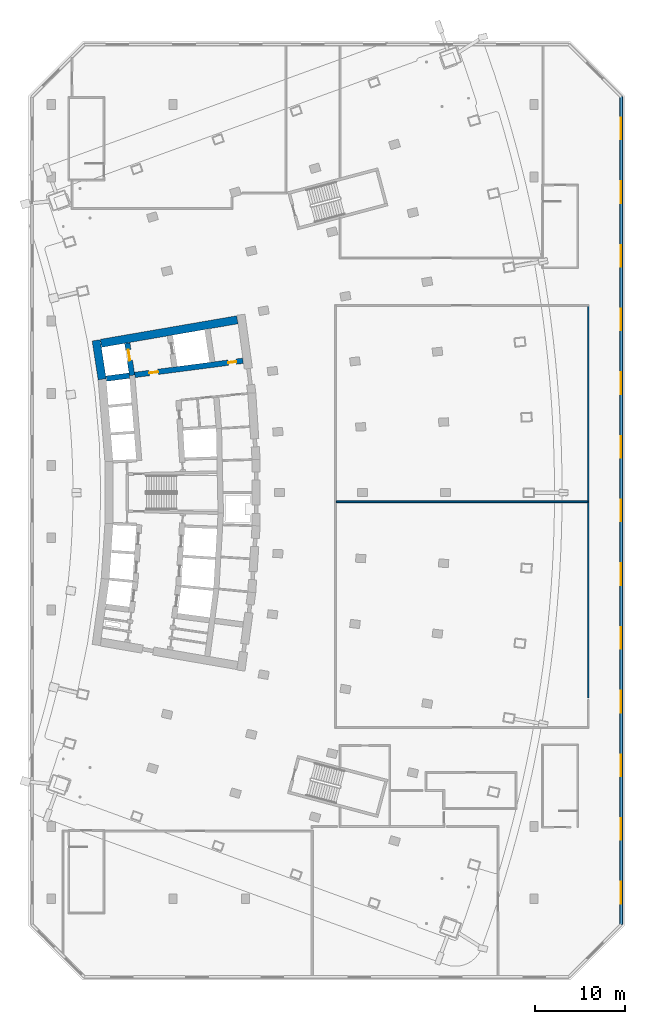
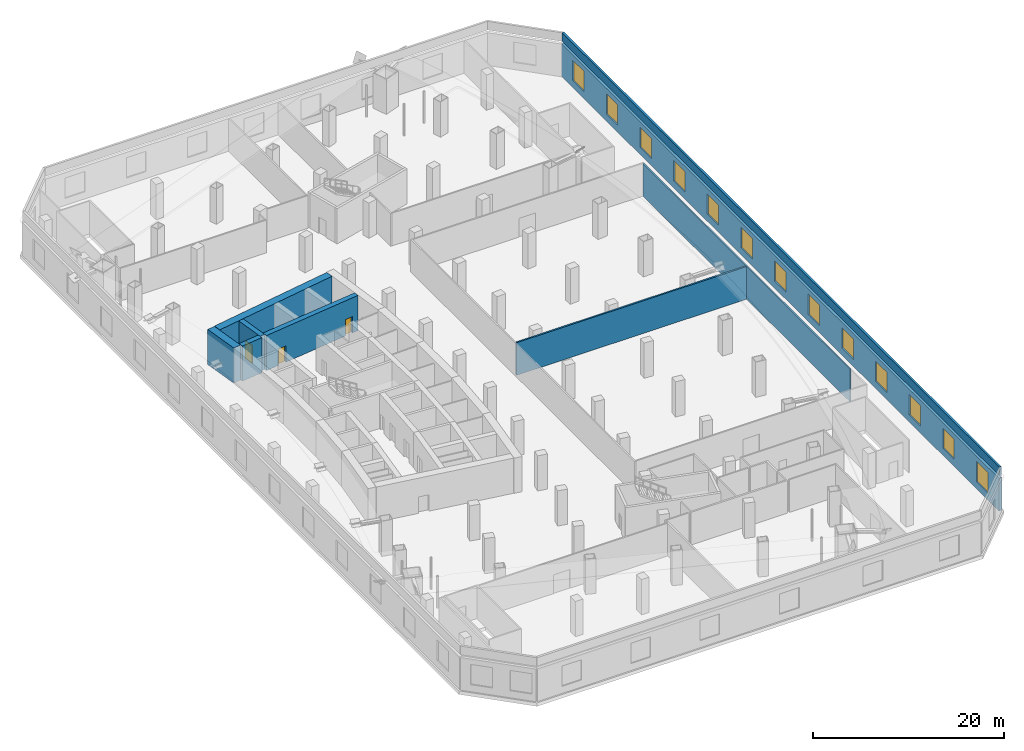
# One storey, part 16 of 19: 13 windows, 9 walls, 3 doors, 16 openings.
"""IFC4 building model written with IfcOpenShell, lengths in metres."""

from ifc_helpers import new_model, si_unit, direction, frame, frame_2d, origin, place, context, subcontext, project, spatial, rectangle, extrude, material, layer, layer_set, type_object, element, fill, save


model = new_model("IFC4")

# Units and contexts
model_context = context("Model", 3, precision=1e-05, world=origin(), true_north=direction((0.0, 1.0)))
body_context = subcontext(model_context, "Body", "Model", "MODEL_VIEW")
ifc_project = project(units=[si_unit("LENGTHUNIT", "METRE"), si_unit("AREAUNIT", "SQUARE_METRE"), si_unit("VOLUMEUNIT", "CUBIC_METRE"), si_unit("PLANEANGLEUNIT", "RADIAN"), si_unit("MASSUNIT", "GRAM", prefix="KILO")], contexts=[model_context])

# Site, building, storey
site_placement = place(None, origin())
site = spatial("IfcSite", under=ifc_project, at=site_placement, CompositionType="ELEMENT")
building_placement = place(site_placement, origin())
building = spatial("IfcBuilding", under=site, at=building_placement, Name="Alderwake Tower", CompositionType="ELEMENT")
storey_placement = place(building_placement, frame((0.0, 0.0, 27.5)))
storey = spatial("IfcBuildingStorey", under=building, at=storey_placement, Name="L05", CompositionType="ELEMENT", Elevation=27.5)

# Walls
ifc_material_1 = material(Name="Concrete C70/85", Category="concrete")
ifc_layer_1 = layer(ifc_material_1, 0.89990234375)
ifc_layer_set_1 = layer_set([ifc_layer_1], Name="Core wall outer 900 C70-85")
wall_type_1 = type_object("IfcWallType", Name="Core wall outer 900 C70-85", PredefinedType="SHEAR", material=ifc_layer_set_1)
wall_1_placement = place(storey_placement, frame((16.1337890625, 73.557373046875, 0.0), z_axis=(0.0, 0.0, 1.0), x_axis=(-0.151956504286, 0.988387181627, 0.0)))
element("IfcWall", 1, at=wall_1_placement, inside=storey, type_object=wall_type_1, Name="Core wall CW.039", PredefinedType="SHEAR", context=body_context, shape_type="SweptSolid", body=[
    extrude(rectangle(XDim=4.373291015625, YDim=0.89990234375, at=frame_2d((2.1865234375, 0.0))), origin(), (0.0, 0.0, 1.0), 4.5),
])
wall_2_placement = place(storey_placement, frame((16.005615234375, 77.548828125, 0.0), z_axis=(0.0, 0.0, 1.0), x_axis=(0.985465815888, 0.169873852363, 0.0)))
element("IfcWall", 2, at=wall_2_placement, inside=storey, type_object=wall_type_1, Name="Core wall CW.053", PredefinedType="SHEAR", context=body_context, shape_type="SweptSolid", body=[
    extrude(rectangle(XDim=15.33056640625, YDim=0.89990234375, at=frame_2d((7.665283203125, 0.0))), origin(), (0.0, 0.0, 1.0), 4.5),
])

# Wall, opening, door
ifc_material_2 = material(Name="Concrete C70/85", Category="concrete")
ifc_layer_2 = layer(ifc_material_2, 0.60009765625)
ifc_layer_set_2 = layer_set([ifc_layer_2], Name="Core wall spine 600 C70-85")
wall_type_2 = type_object("IfcWallType", Name="Core wall spine 600 C70-85", PredefinedType="SHEAR", material=ifc_layer_set_2)
wall_3_placement = place(storey_placement, frame((19.45458984375, 73.99755859375, 0.0), z_axis=(0.0, 0.0, 1.0), x_axis=(-0.147502312715, 0.989061710786, 0.0)))
wall_3 = element("IfcWall", 3, at=wall_3_placement, inside=storey, type_object=wall_type_2, Name="Core wall CW.030", PredefinedType="SHEAR", context=body_context, shape_type="SweptSolid", body=[
    extrude(rectangle(XDim=3.6181640625, YDim=0.60009765625, at=frame_2d((1.80908203125, 0.0))), origin(), (0.0, 0.0, 1.0), 4.5),
])
opening_1_placement = place(wall_3_placement, frame((1.664306640625, 0.0, 0.0)))
opening_1 = element("IfcOpeningElement", 4, at=opening_1_placement, cuts=wall_3, Name="Opening LD-FF1", PredefinedType="OPENING", context=body_context, shape_type="SweptSolid", body=[
    extrude(rectangle(XDim=1.199951171875, YDim=2.300048828125, at=frame_2d((0.60009765625, 1.14990234375))), frame((0.0, 0.31005859375, 0.0), z_axis=(0.0, -1.0, 0.0), x_axis=(1.0, 0.0, 0.0)), (0.0, 0.0, 1.0), 0.6201171875),
])
ifc_material_3 = material(Name="Stainless steel sliding leaf", Category="steel")
door_type_1 = type_object("IfcDoorType", Name="Lift landing door 1200", OperationType="SLIDING_TO_LEFT", PredefinedType="DOOR", material=ifc_material_3)
door_1_placement = place(opening_1_placement, origin())
door_1 = element("IfcDoor", 5, at=door_1_placement, inside=storey, type_object=door_type_1, Name="Lift landing door FF1", OperationType="SLIDING_TO_LEFT", OverallHeight=2.300048828125, OverallWidth=1.199951171875, PredefinedType="DOOR", context=body_context, shape_type="SweptSolid", body=[
    extrude(rectangle(XDim=1.199951171875, YDim=2.300048828125, at=frame_2d((0.60009765625, 1.14990234375))), frame((0.0, 0.050048828125, 0.0), z_axis=(0.0, -1.0, 0.0), x_axis=(1.0, 0.0, 0.0)), (0.0, 0.0, 1.0), 0.10009765625),
])
fill(opening_1, door_1)

# Wall
wall_4_placement = place(storey_placement, frame((16.607666015625, 73.635498046875, 0.0), z_axis=(0.0, 0.0, 1.0), x_axis=(0.991551057449, 0.129717001478, 0.0)))
element("IfcWall", 6, at=wall_4_placement, inside=storey, type_object=wall_type_2, Name="Core wall CW.051", PredefinedType="SHEAR", context=body_context, shape_type="SweptSolid", body=[
    extrude(rectangle(XDim=2.569091796875, YDim=0.60009765625, at=frame_2d((1.28466796875, 0.0))), origin(), (0.0, 0.0, 1.0), 4.5),
])

# Wall, openings, doors
wall_5_placement = place(storey_placement, frame((31.735595703125, 75.6142578125, 0.0), z_axis=(0.0, 0.0, 1.0), x_axis=(-0.991553829991, -0.129695806526, 0.0)))
wall_5 = element("IfcWall", 7, at=wall_5_placement, inside=storey, type_object=wall_type_2, Name="Core wall CW.052", PredefinedType="SHEAR", context=body_context, shape_type="SweptSolid", body=[
    extrude(rectangle(XDim=12.0869140625, YDim=0.60009765625, at=frame_2d((6.04345703125, 0.0))), origin(), (0.0, 0.0, 1.0), 4.5),
])
opening_2_placement = place(wall_5_placement, frame((9.4873046875, 0.0, 0.0)))
opening_2 = element("IfcOpeningElement", 8, at=opening_2_placement, cuts=wall_5, Name="Opening C002", PredefinedType="OPENING", context=body_context, shape_type="SweptSolid", body=[
    extrude(rectangle(XDim=1.0, YDim=2.10009765625, at=frame_2d((0.5, 1.050048828125))), frame((0.0, 0.31005859375, 0.0), z_axis=(0.0, -1.0, 0.0), x_axis=(1.0, 0.0, 0.0)), (0.0, 0.0, 1.0), 0.6201171875),
])
opening_3_placement = place(wall_5_placement, frame((0.7373046875, 0.0, 0.0)))
opening_3 = element("IfcOpeningElement", 9, at=opening_3_placement, cuts=wall_5, Name="Opening C020", PredefinedType="OPENING", context=body_context, shape_type="SweptSolid", body=[
    extrude(rectangle(XDim=0.89990234375, YDim=2.10009765625, at=frame_2d((0.449951171875, 1.050048828125))), frame((0.0, 0.31005859375, 0.0), z_axis=(0.0, -1.0, 0.0), x_axis=(1.0, 0.0, 0.0)), (0.0, 0.0, 1.0), 0.6201171875),
])
ifc_material_4 = material(Name="Painted steel leaf", Category="steel")
door_type_2 = type_object("IfcDoorType", Name="Core room door 900", OperationType="SINGLE_SWING_LEFT", PredefinedType="DOOR", material=ifc_material_4)
door_2_placement = place(opening_3_placement, origin())
door_2 = element("IfcDoor", 10, at=door_2_placement, inside=storey, type_object=door_type_2, Name="Room door", OperationType="SINGLE_SWING_LEFT", OverallHeight=2.10009765625, OverallWidth=0.89990234375, PredefinedType="DOOR", context=body_context, shape_type="SweptSolid", body=[
    extrude(rectangle(XDim=0.89990234375, YDim=2.10009765625, at=frame_2d((0.449951171875, 1.050048828125))), frame((0.0, 0.050048828125, 0.0), z_axis=(0.0, -1.0, 0.0), x_axis=(1.0, 0.0, 0.0)), (0.0, 0.0, 1.0), 0.10009765625),
])
fill(opening_3, door_2)
ifc_material_5 = material(Name="Steel-framed fire door leaf", Category="steel")
door_type_3 = type_object("IfcDoorType", Name="Firefighting lobby door 1000 fire-rated", OperationType="SINGLE_SWING_LEFT", PredefinedType="DOOR", material=ifc_material_5)
door_3_placement = place(opening_2_placement, origin())
door_3 = element("IfcDoor", 11, at=door_3_placement, inside=storey, type_object=door_type_3, Name="Firefighting lobby door", OperationType="SINGLE_SWING_RIGHT", OverallHeight=2.10009765625, OverallWidth=1.0, PredefinedType="DOOR", context=body_context, shape_type="SweptSolid", body=[
    extrude(rectangle(XDim=1.0, YDim=2.10009765625, at=frame_2d((0.5, 1.050048828125))), frame((0.0, 0.050048828125, 0.0), z_axis=(0.0, -1.0, 0.0), x_axis=(1.0, 0.0, 0.0)), (0.0, 0.0, 1.0), 0.10009765625),
])
fill(opening_2, door_3)

# Wall
ifc_material_6 = material(Name="Gypsum board on metal studs, rated")
ifc_layer_3 = layer(ifc_material_6, 0.159912109375)
ifc_layer_set_3 = layer_set([ifc_layer_3], Name="Corridor wall 160")
wall_type_3 = type_object("IfcWallType", Name="Corridor wall 160", PredefinedType="PARTITIONING", material=ifc_layer_set_3)
wall_6_placement = place(storey_placement, frame((69.9990234375, 81.669921875, 0.0), z_axis=(0.0, 0.0, 1.0), x_axis=(0.0, -1.0, 0.0)))
element("IfcWall", 12, at=wall_6_placement, inside=storey, type_object=wall_type_3, Name="WL/L05/W56", PredefinedType="PARTITIONING", context=body_context, shape_type="SweptSolid", body=[
    extrude(rectangle(XDim=43.40234375, YDim=0.159912109375, at=frame_2d((21.701171875, 0.0))), origin(), (0.0, 0.0, 1.0), 4.179931640625),
])

# Wall, openings, windows
ifc_material_7 = material(Name="Precast concrete C50/60 spandrel panel", Category="concrete")
ifc_layer_4 = layer(ifc_material_7, 0.35009765625)
ifc_layer_set_4 = layer_set([ifc_layer_4], Name="External wall EW4 Precast concrete C50/60 podium")
wall_type_4 = type_object("IfcWallType", Name="External wall EW4 Precast concrete C50/60 podium", PredefinedType="SOLIDWALL", material=ifc_layer_set_4)
wall_7_placement = place(storey_placement, frame((73.64990234375, 13.14501953125, 0.0), z_axis=(0.0, 0.0, 1.0), x_axis=(0.0, 1.0, 0.0)))
wall_7 = element("IfcWall", 13, at=wall_7_placement, inside=storey, type_object=wall_type_4, Name="External wall 3", PredefinedType="SOLIDWALL", context=body_context, shape_type="SweptSolid", body=[
    extrude(rectangle(XDim=91.72509765625, YDim=0.35009765625, at=frame_2d((45.862548828125, 0.0))), origin(), (0.0, 0.0, 1.0), 4.179931640625),
])
opening_4_placement = place(wall_7_placement, frame((2.327880859375, 0.0, 0.89990234375)))
opening_4 = element("IfcOpeningElement", 14, at=opening_4_placement, cuts=wall_7, Name="Opening W6", PredefinedType="OPENING", context=body_context, shape_type="SweptSolid", body=[
    extrude(rectangle(XDim=2.39990234375, YDim=2.60009765625, at=frame_2d((1.199951171875, 1.300048828125))), frame((0.0, 0.18505859375, 0.0), z_axis=(0.0, -1.0, 0.0), x_axis=(1.0, 0.0, 0.0)), (0.0, 0.0, 1.0), 0.3701171875),
])
opening_5_placement = place(wall_7_placement, frame((9.3837890625, 0.0, 0.89990234375)))
opening_5 = element("IfcOpeningElement", 15, at=opening_5_placement, cuts=wall_7, Name="Opening W6", PredefinedType="OPENING", context=body_context, shape_type="SweptSolid", body=[
    extrude(rectangle(XDim=2.39990234375, YDim=2.60009765625, at=frame_2d((1.199951171875, 1.300048828125))), frame((0.0, 0.18505859375, 0.0), z_axis=(0.0, -1.0, 0.0), x_axis=(1.0, 0.0, 0.0)), (0.0, 0.0, 1.0), 0.3701171875),
])
opening_6_placement = place(wall_7_placement, frame((16.439453125, 0.0, 0.89990234375)))
opening_6 = element("IfcOpeningElement", 16, at=opening_6_placement, cuts=wall_7, Name="Opening W6", PredefinedType="OPENING", context=body_context, shape_type="SweptSolid", body=[
    extrude(rectangle(XDim=2.39990234375, YDim=2.60009765625, at=frame_2d((1.199951171875, 1.300048828125))), frame((0.0, 0.18505859375, 0.0), z_axis=(0.0, -1.0, 0.0), x_axis=(1.0, 0.0, 0.0)), (0.0, 0.0, 1.0), 0.3701171875),
])
opening_7_placement = place(wall_7_placement, frame((23.4951171875, 0.0, 0.89990234375)))
opening_7 = element("IfcOpeningElement", 17, at=opening_7_placement, cuts=wall_7, Name="Opening W6", PredefinedType="OPENING", context=body_context, shape_type="SweptSolid", body=[
    extrude(rectangle(XDim=2.39990234375, YDim=2.60009765625, at=frame_2d((1.199951171875, 1.300048828125))), frame((0.0, 0.18505859375, 0.0), z_axis=(0.0, -1.0, 0.0), x_axis=(1.0, 0.0, 0.0)), (0.0, 0.0, 1.0), 0.3701171875),
])
opening_8_placement = place(wall_7_placement, frame((30.551025390625, 0.0, 0.89990234375)))
opening_8 = element("IfcOpeningElement", 18, at=opening_8_placement, cuts=wall_7, Name="Opening W6", PredefinedType="OPENING", context=body_context, shape_type="SweptSolid", body=[
    extrude(rectangle(XDim=2.39990234375, YDim=2.60009765625, at=frame_2d((1.199951171875, 1.300048828125))), frame((0.0, 0.18505859375, 0.0), z_axis=(0.0, -1.0, 0.0), x_axis=(1.0, 0.0, 0.0)), (0.0, 0.0, 1.0), 0.3701171875),
])
opening_9_placement = place(wall_7_placement, frame((37.606689453125, 0.0, 0.89990234375)))
opening_9 = element("IfcOpeningElement", 19, at=opening_9_placement, cuts=wall_7, Name="Opening W6", PredefinedType="OPENING", context=body_context, shape_type="SweptSolid", body=[
    extrude(rectangle(XDim=2.39990234375, YDim=2.60009765625, at=frame_2d((1.199951171875, 1.300048828125))), frame((0.0, 0.18505859375, 0.0), z_axis=(0.0, -1.0, 0.0), x_axis=(1.0, 0.0, 0.0)), (0.0, 0.0, 1.0), 0.3701171875),
])
opening_10_placement = place(wall_7_placement, frame((44.66259765625, 0.0, 0.89990234375)))
opening_10 = element("IfcOpeningElement", 20, at=opening_10_placement, cuts=wall_7, Name="Opening W6", PredefinedType="OPENING", context=body_context, shape_type="SweptSolid", body=[
    extrude(rectangle(XDim=2.39990234375, YDim=2.60009765625, at=frame_2d((1.199951171875, 1.300048828125))), frame((0.0, 0.18505859375, 0.0), z_axis=(0.0, -1.0, 0.0), x_axis=(1.0, 0.0, 0.0)), (0.0, 0.0, 1.0), 0.3701171875),
])
opening_11_placement = place(wall_7_placement, frame((51.71826171875, 0.0, 0.89990234375)))
opening_11 = element("IfcOpeningElement", 21, at=opening_11_placement, cuts=wall_7, Name="Opening W6", PredefinedType="OPENING", context=body_context, shape_type="SweptSolid", body=[
    extrude(rectangle(XDim=2.39990234375, YDim=2.60009765625, at=frame_2d((1.199951171875, 1.300048828125))), frame((0.0, 0.18505859375, 0.0), z_axis=(0.0, -1.0, 0.0), x_axis=(1.0, 0.0, 0.0)), (0.0, 0.0, 1.0), 0.3701171875),
])
opening_12_placement = place(wall_7_placement, frame((58.774169921875, 0.0, 0.89990234375)))
opening_12 = element("IfcOpeningElement", 22, at=opening_12_placement, cuts=wall_7, Name="Opening W6", PredefinedType="OPENING", context=body_context, shape_type="SweptSolid", body=[
    extrude(rectangle(XDim=2.39990234375, YDim=2.60009765625, at=frame_2d((1.199951171875, 1.300048828125))), frame((0.0, 0.18505859375, 0.0), z_axis=(0.0, -1.0, 0.0), x_axis=(1.0, 0.0, 0.0)), (0.0, 0.0, 1.0), 0.3701171875),
])
opening_13_placement = place(wall_7_placement, frame((65.829833984375, 0.0, 0.89990234375)))
opening_13 = element("IfcOpeningElement", 23, at=opening_13_placement, cuts=wall_7, Name="Opening W6", PredefinedType="OPENING", context=body_context, shape_type="SweptSolid", body=[
    extrude(rectangle(XDim=2.39990234375, YDim=2.60009765625, at=frame_2d((1.199951171875, 1.300048828125))), frame((0.0, 0.18505859375, 0.0), z_axis=(0.0, -1.0, 0.0), x_axis=(1.0, 0.0, 0.0)), (0.0, 0.0, 1.0), 0.3701171875),
])
opening_14_placement = place(wall_7_placement, frame((72.885498046875, 0.0, 0.89990234375)))
opening_14 = element("IfcOpeningElement", 24, at=opening_14_placement, cuts=wall_7, Name="Opening W6", PredefinedType="OPENING", context=body_context, shape_type="SweptSolid", body=[
    extrude(rectangle(XDim=2.39990234375, YDim=2.60009765625, at=frame_2d((1.199951171875, 1.300048828125))), frame((0.0, 0.18505859375, 0.0), z_axis=(0.0, -1.0, 0.0), x_axis=(1.0, 0.0, 0.0)), (0.0, 0.0, 1.0), 0.3701171875),
])
opening_15_placement = place(wall_7_placement, frame((79.94140625, 0.0, 0.89990234375)))
opening_15 = element("IfcOpeningElement", 25, at=opening_15_placement, cuts=wall_7, Name="Opening W6", PredefinedType="OPENING", context=body_context, shape_type="SweptSolid", body=[
    extrude(rectangle(XDim=2.39990234375, YDim=2.60009765625, at=frame_2d((1.199951171875, 1.300048828125))), frame((0.0, 0.18505859375, 0.0), z_axis=(0.0, -1.0, 0.0), x_axis=(1.0, 0.0, 0.0)), (0.0, 0.0, 1.0), 0.3701171875),
])
opening_16_placement = place(wall_7_placement, frame((86.997314453125, 0.0, 0.89990234375)))
opening_16 = element("IfcOpeningElement", 26, at=opening_16_placement, cuts=wall_7, Name="Opening W6", PredefinedType="OPENING", context=body_context, shape_type="SweptSolid", body=[
    extrude(rectangle(XDim=2.39990234375, YDim=2.60009765625, at=frame_2d((1.199951171875, 1.300048828125))), frame((0.0, 0.18505859375, 0.0), z_axis=(0.0, -1.0, 0.0), x_axis=(1.0, 0.0, 0.0)), (0.0, 0.0, 1.0), 0.3701171875),
])
ifc_material_8 = material(Name="Bronze tinted glass in aluminium frame", Category="aluminium")
window_type = type_object("IfcWindowType", Name="Window W6 podium", PartitioningType="DOUBLE_PANEL_VERTICAL", PredefinedType="WINDOW", material=ifc_material_8)
window_1_placement = place(opening_4_placement, origin())
window_1 = element("IfcWindow", 27, at=window_1_placement, inside=storey, type_object=window_type, Name="Window W6 podium", OverallHeight=2.60009765625, OverallWidth=2.39990234375, PartitioningType="DOUBLE_PANEL_VERTICAL", PredefinedType="WINDOW", context=body_context, shape_type="SweptSolid", body=[
    extrude(rectangle(XDim=2.39990234375, YDim=2.60009765625, at=frame_2d((1.199951171875, 1.300048828125))), frame((0.0, 0.030029296875, 0.0), z_axis=(0.0, -1.0, 0.0), x_axis=(1.0, 0.0, 0.0)), (0.0, 0.0, 1.0), 0.06005859375),
])
fill(opening_4, window_1)
window_2_placement = place(opening_5_placement, origin())
window_2 = element("IfcWindow", 28, at=window_2_placement, inside=storey, type_object=window_type, Name="Window W6 podium", OverallHeight=2.60009765625, OverallWidth=2.39990234375, PartitioningType="DOUBLE_PANEL_VERTICAL", PredefinedType="WINDOW", context=body_context, shape_type="SweptSolid", body=[
    extrude(rectangle(XDim=2.39990234375, YDim=2.60009765625, at=frame_2d((1.199951171875, 1.300048828125))), frame((0.0, 0.030029296875, 0.0), z_axis=(0.0, -1.0, 0.0), x_axis=(1.0, 0.0, 0.0)), (0.0, 0.0, 1.0), 0.06005859375),
])
fill(opening_5, window_2)
window_3_placement = place(opening_6_placement, origin())
window_3 = element("IfcWindow", 29, at=window_3_placement, inside=storey, type_object=window_type, Name="Window W6 podium", OverallHeight=2.60009765625, OverallWidth=2.39990234375, PartitioningType="DOUBLE_PANEL_VERTICAL", PredefinedType="WINDOW", context=body_context, shape_type="SweptSolid", body=[
    extrude(rectangle(XDim=2.39990234375, YDim=2.60009765625, at=frame_2d((1.199951171875, 1.300048828125))), frame((0.0, 0.030029296875, 0.0), z_axis=(0.0, -1.0, 0.0), x_axis=(1.0, 0.0, 0.0)), (0.0, 0.0, 1.0), 0.06005859375),
])
fill(opening_6, window_3)
window_4_placement = place(opening_7_placement, origin())
window_4 = element("IfcWindow", 30, at=window_4_placement, inside=storey, type_object=window_type, Name="Window W6 podium", OverallHeight=2.60009765625, OverallWidth=2.39990234375, PartitioningType="DOUBLE_PANEL_VERTICAL", PredefinedType="WINDOW", context=body_context, shape_type="SweptSolid", body=[
    extrude(rectangle(XDim=2.39990234375, YDim=2.60009765625, at=frame_2d((1.199951171875, 1.300048828125))), frame((0.0, 0.030029296875, 0.0), z_axis=(0.0, -1.0, 0.0), x_axis=(1.0, 0.0, 0.0)), (0.0, 0.0, 1.0), 0.06005859375),
])
fill(opening_7, window_4)
window_5_placement = place(opening_8_placement, origin())
window_5 = element("IfcWindow", 31, at=window_5_placement, inside=storey, type_object=window_type, Name="Window W6 podium", OverallHeight=2.60009765625, OverallWidth=2.39990234375, PartitioningType="DOUBLE_PANEL_VERTICAL", PredefinedType="WINDOW", context=body_context, shape_type="SweptSolid", body=[
    extrude(rectangle(XDim=2.39990234375, YDim=2.60009765625, at=frame_2d((1.199951171875, 1.300048828125))), frame((0.0, 0.030029296875, 0.0), z_axis=(0.0, -1.0, 0.0), x_axis=(1.0, 0.0, 0.0)), (0.0, 0.0, 1.0), 0.06005859375),
])
fill(opening_8, window_5)
window_6_placement = place(opening_9_placement, origin())
window_6 = element("IfcWindow", 32, at=window_6_placement, inside=storey, type_object=window_type, Name="Window W6 podium", OverallHeight=2.60009765625, OverallWidth=2.39990234375, PartitioningType="DOUBLE_PANEL_VERTICAL", PredefinedType="WINDOW", context=body_context, shape_type="SweptSolid", body=[
    extrude(rectangle(XDim=2.39990234375, YDim=2.60009765625, at=frame_2d((1.199951171875, 1.300048828125))), frame((0.0, 0.030029296875, 0.0), z_axis=(0.0, -1.0, 0.0), x_axis=(1.0, 0.0, 0.0)), (0.0, 0.0, 1.0), 0.06005859375),
])
fill(opening_9, window_6)
window_7_placement = place(opening_10_placement, origin())
window_7 = element("IfcWindow", 33, at=window_7_placement, inside=storey, type_object=window_type, Name="Window W6 podium", OverallHeight=2.60009765625, OverallWidth=2.39990234375, PartitioningType="DOUBLE_PANEL_VERTICAL", PredefinedType="WINDOW", context=body_context, shape_type="SweptSolid", body=[
    extrude(rectangle(XDim=2.39990234375, YDim=2.60009765625, at=frame_2d((1.199951171875, 1.300048828125))), frame((0.0, 0.030029296875, 0.0), z_axis=(0.0, -1.0, 0.0), x_axis=(1.0, 0.0, 0.0)), (0.0, 0.0, 1.0), 0.06005859375),
])
fill(opening_10, window_7)
window_8_placement = place(opening_11_placement, origin())
window_8 = element("IfcWindow", 34, at=window_8_placement, inside=storey, type_object=window_type, Name="Window W6 podium", OverallHeight=2.60009765625, OverallWidth=2.39990234375, PartitioningType="DOUBLE_PANEL_VERTICAL", PredefinedType="WINDOW", context=body_context, shape_type="SweptSolid", body=[
    extrude(rectangle(XDim=2.39990234375, YDim=2.60009765625, at=frame_2d((1.199951171875, 1.300048828125))), frame((0.0, 0.030029296875, 0.0), z_axis=(0.0, -1.0, 0.0), x_axis=(1.0, 0.0, 0.0)), (0.0, 0.0, 1.0), 0.06005859375),
])
fill(opening_11, window_8)
window_9_placement = place(opening_12_placement, origin())
window_9 = element("IfcWindow", 35, at=window_9_placement, inside=storey, type_object=window_type, Name="Window W6 podium", OverallHeight=2.60009765625, OverallWidth=2.39990234375, PartitioningType="DOUBLE_PANEL_VERTICAL", PredefinedType="WINDOW", context=body_context, shape_type="SweptSolid", body=[
    extrude(rectangle(XDim=2.39990234375, YDim=2.60009765625, at=frame_2d((1.199951171875, 1.300048828125))), frame((0.0, 0.030029296875, 0.0), z_axis=(0.0, -1.0, 0.0), x_axis=(1.0, 0.0, 0.0)), (0.0, 0.0, 1.0), 0.06005859375),
])
fill(opening_12, window_9)
window_10_placement = place(opening_13_placement, origin())
window_10 = element("IfcWindow", 36, at=window_10_placement, inside=storey, type_object=window_type, Name="Window W6 podium", OverallHeight=2.60009765625, OverallWidth=2.39990234375, PartitioningType="DOUBLE_PANEL_VERTICAL", PredefinedType="WINDOW", context=body_context, shape_type="SweptSolid", body=[
    extrude(rectangle(XDim=2.39990234375, YDim=2.60009765625, at=frame_2d((1.199951171875, 1.300048828125))), frame((0.0, 0.030029296875, 0.0), z_axis=(0.0, -1.0, 0.0), x_axis=(1.0, 0.0, 0.0)), (0.0, 0.0, 1.0), 0.06005859375),
])
fill(opening_13, window_10)
window_11_placement = place(opening_14_placement, origin())
window_11 = element("IfcWindow", 37, at=window_11_placement, inside=storey, type_object=window_type, Name="Window W6 podium", OverallHeight=2.60009765625, OverallWidth=2.39990234375, PartitioningType="DOUBLE_PANEL_VERTICAL", PredefinedType="WINDOW", context=body_context, shape_type="SweptSolid", body=[
    extrude(rectangle(XDim=2.39990234375, YDim=2.60009765625, at=frame_2d((1.199951171875, 1.300048828125))), frame((0.0, 0.030029296875, 0.0), z_axis=(0.0, -1.0, 0.0), x_axis=(1.0, 0.0, 0.0)), (0.0, 0.0, 1.0), 0.06005859375),
])
fill(opening_14, window_11)
window_12_placement = place(opening_15_placement, origin())
window_12 = element("IfcWindow", 38, at=window_12_placement, inside=storey, type_object=window_type, Name="Window W6 podium", OverallHeight=2.60009765625, OverallWidth=2.39990234375, PartitioningType="DOUBLE_PANEL_VERTICAL", PredefinedType="WINDOW", context=body_context, shape_type="SweptSolid", body=[
    extrude(rectangle(XDim=2.39990234375, YDim=2.60009765625, at=frame_2d((1.199951171875, 1.300048828125))), frame((0.0, 0.030029296875, 0.0), z_axis=(0.0, -1.0, 0.0), x_axis=(1.0, 0.0, 0.0)), (0.0, 0.0, 1.0), 0.06005859375),
])
fill(opening_15, window_12)
window_13_placement = place(opening_16_placement, origin())
window_13 = element("IfcWindow", 39, at=window_13_placement, inside=storey, type_object=window_type, Name="Window W6 podium", OverallHeight=2.60009765625, OverallWidth=2.39990234375, PartitioningType="DOUBLE_PANEL_VERTICAL", PredefinedType="WINDOW", context=body_context, shape_type="SweptSolid", body=[
    extrude(rectangle(XDim=2.39990234375, YDim=2.60009765625, at=frame_2d((1.199951171875, 1.300048828125))), frame((0.0, 0.030029296875, 0.0), z_axis=(0.0, -1.0, 0.0), x_axis=(1.0, 0.0, 0.0)), (0.0, 0.0, 1.0), 0.06005859375),
])
fill(opening_16, window_13)

# Walls
ifc_material_9 = material(Name="Dense block masonry wall", Category="masonry")
ifc_layer_5 = layer(ifc_material_9, 0.199951171875)
ifc_layer_set_5 = layer_set([ifc_layer_5], Name="Party wall 200")
wall_type_5 = type_object("IfcWallType", Name="Party wall 200", PredefinedType="SOLIDWALL", material=ifc_layer_set_5)
wall_8_placement = place(storey_placement, frame((69.9189453125, 60.0, 0.0), z_axis=(0.0, 0.0, 1.0), x_axis=(-1.0, 0.0, 0.0)))
element("IfcWall", 40, at=wall_8_placement, inside=storey, type_object=wall_type_5, Name="WL/L05/W05", PredefinedType="SOLIDWALL", context=body_context, shape_type="SweptSolid", body=[
    extrude(rectangle(XDim=27.8388671875, YDim=0.199951171875, at=frame_2d((13.91943359375, 0.0))), origin(), (0.0, 0.0, 1.0), 4.179931640625),
])
ifc_material_10 = material(Name="Precast concrete C50/60 spandrel panel", Category="concrete")
ifc_layer_6 = layer(ifc_material_10, 0.25)
ifc_layer_set_6 = layer_set([ifc_layer_6], Name="Roof parapet PA1 Precast concrete C50/60")
wall_type_6 = type_object("IfcWallType", Name="Roof parapet PA1 Precast concrete C50/60", PredefinedType="PARAPET", material=ifc_layer_set_6)
wall_9_placement = place(storey_placement, frame((73.64990234375, 13.14501953125, 4.5), z_axis=(0.0, 0.0, 1.0), x_axis=(0.0, 1.0, 0.0)))
element("IfcWall", 41, at=wall_9_placement, inside=storey, type_object=wall_type_6, Name="External wall 11", PredefinedType="PARAPET", context=body_context, shape_type="SweptSolid", body=[
    extrude(rectangle(XDim=91.72509765625, YDim=0.25, at=frame_2d((45.862548828125, 0.0))), origin(), (0.0, 0.0, 1.0), 1.10009765625),
])

save(model, "model.ifc")
